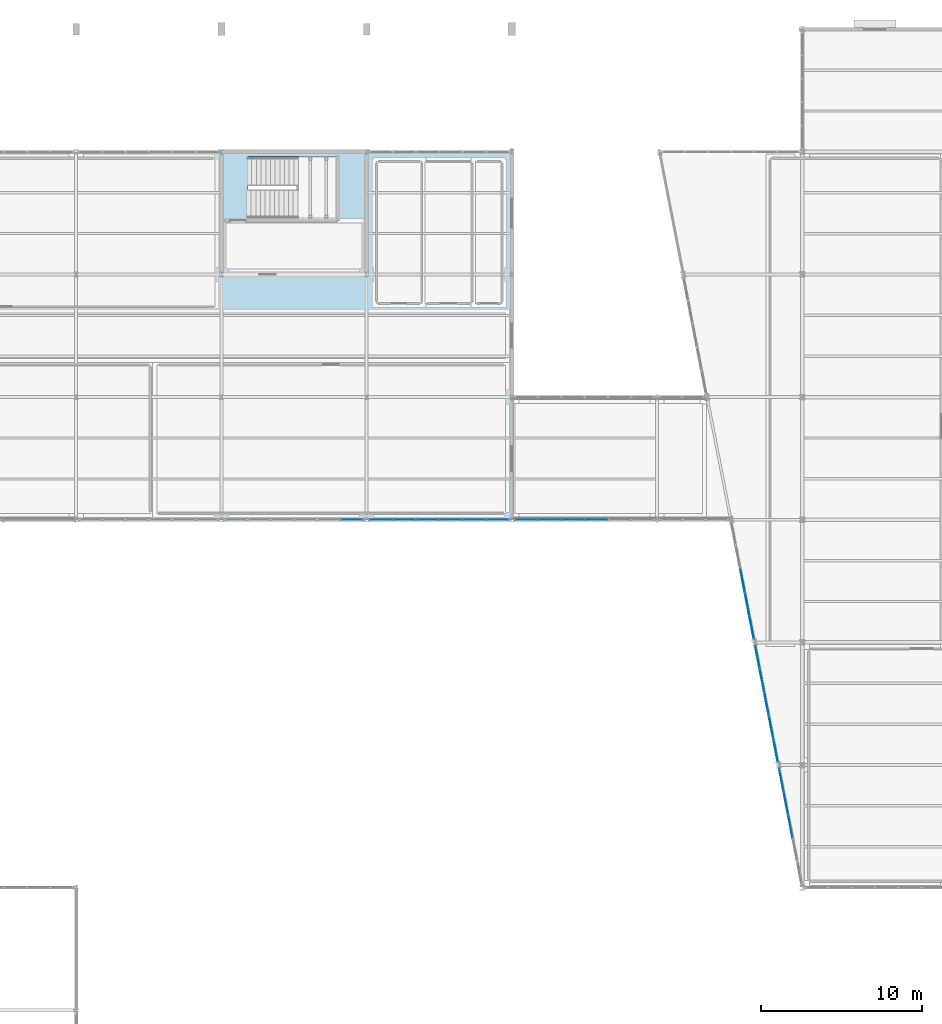
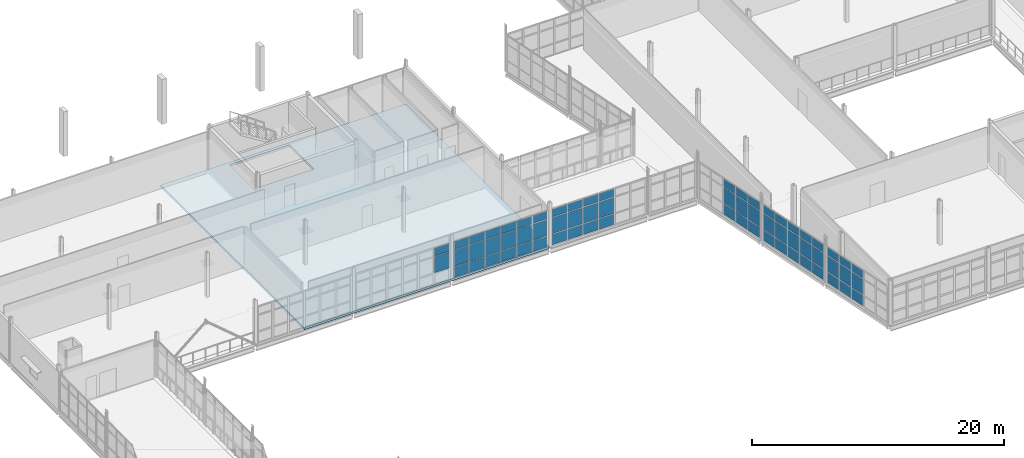
# One storey, part 132 of 166: 65 plates, 1 slab, 6 elements without a shape of their own.
"""IFC4 building model written with IfcOpenShell, lengths in metres."""

from ifc_helpers import new_model, si_unit, direction, frame, origin, origin_2d, place, context, subcontext, project, spatial, polyline, rectangle, outline, extrude, material, layer, layer_set, type_object, element, aggregate, save


model = new_model("IFC4")

# Units and contexts
model_context = context("Model", 3, precision=1e-05, world=origin(), true_north=direction((0.0, 1.0)))
body_context = subcontext(model_context, "Body", "Model", "MODEL_VIEW")
ifc_project = project(units=[si_unit("LENGTHUNIT", "METRE"), si_unit("AREAUNIT", "SQUARE_METRE"), si_unit("VOLUMEUNIT", "CUBIC_METRE"), si_unit("PLANEANGLEUNIT", "RADIAN"), si_unit("MASSUNIT", "GRAM", prefix="KILO")], contexts=[model_context])

# Site, building, storey
site_placement = place(None, origin())
site = spatial("IfcSite", under=ifc_project, at=site_placement, CompositionType="ELEMENT")
building_placement = place(site_placement, origin())
building = spatial("IfcBuilding", under=site, at=building_placement, Name="Caisbarro Railhouse Central Library", CompositionType="ELEMENT")
storey_placement = place(building_placement, frame((0.0, 0.0, 9.360107421875)))
storey = spatial("IfcBuildingStorey", under=building, at=storey_placement, Name="L02", CompositionType="ELEMENT", Elevation=9.360107421875)

# Curtain wall, plates
ifc_material_1 = material(Name="Anodised architectural aluminium", Category="aluminium")
curtain_wall_type_1 = type_object("IfcCurtainWallType", Name="CW-CW02", PredefinedType="NOTDEFINED", material=ifc_material_1)
curtain_wall_1_placement = place(storey_placement, origin())
curtain_wall_1 = element("IfcCurtainWall", 1, at=curtain_wall_1_placement, inside=storey, type_object=curtain_wall_type_1, Name="CW02 curtain wall L02 #126", PredefinedType="NOTDEFINED")
ifc_material_2 = material(Name="Double low-e laminated solar-control glass", Category="glass")
ifc_layer_1 = layer(ifc_material_2, 0.01806640625, Name="Double low-e laminated solar-control glass")
ifc_layer_set_1 = layer_set([ifc_layer_1], Name="Double low-e laminated solar-control glass")
plate_type_1 = type_object("IfcPlateType", Name="CWP-CP18", PredefinedType="CURTAIN_PANEL", material=ifc_layer_set_1)
plate_1_placement = place(storey_placement, frame((116.261474609375, 64.60009765625, 0.06494140625), z_axis=(0.0, 0.0, 1.0), x_axis=(-0.190780945369, 0.981632635401, 0.0)))
plate_1 = element("IfcPlate", 2, at=plate_1_placement, type_object=plate_type_1, Name="CW02 panel 3.1", PredefinedType="CURTAIN_PANEL", context=body_context, shape_type="SweptSolid", body=[
    extrude(rectangle(XDim=1.409423828125, YDim=0.01806640625, at=origin_2d()), origin(), (0.0, 0.0, 1.0), 1.0224609375),
])
plate_2_placement = place(storey_placement, frame((116.261474609375, 64.60009765625, 1.15234375), z_axis=(0.0, 0.0, 1.0), x_axis=(-0.190780945369, 0.981632635401, 0.0)))
plate_2 = element("IfcPlate", 3, at=plate_2_placement, type_object=plate_type_1, Name="CW02 panel 3.2", PredefinedType="CURTAIN_PANEL", context=body_context, shape_type="SweptSolid", body=[
    extrude(rectangle(XDim=1.409423828125, YDim=0.01806640625, at=origin_2d()), origin(), (0.0, 0.0, 1.0), 1.52490234375),
])
plate_3_placement = place(storey_placement, frame((116.261474609375, 64.60009765625, 2.742431640625), z_axis=(0.0, 0.0, 1.0), x_axis=(-0.190780945369, 0.981632635401, 0.0)))
plate_3 = element("IfcPlate", 4, at=plate_3_placement, type_object=plate_type_1, Name="CW02 panel 3.3", PredefinedType="CURTAIN_PANEL", context=body_context, shape_type="SweptSolid", body=[
    extrude(rectangle(XDim=1.409423828125, YDim=0.01806640625, at=origin_2d()), origin(), (0.0, 0.0, 1.0), 0.75244140625),
])
plate_4_placement = place(storey_placement, frame((115.978271484375, 66.05712890625, 0.06494140625), z_axis=(0.0, 0.0, 1.0), x_axis=(-0.190780945369, 0.981632635401, 0.0)))
plate_4 = element("IfcPlate", 5, at=plate_4_placement, type_object=plate_type_1, Name="CW02 panel 4.1", PredefinedType="CURTAIN_PANEL", context=body_context, shape_type="SweptSolid", body=[
    extrude(rectangle(XDim=1.409423828125, YDim=0.01806640625, at=origin_2d()), origin(), (0.0, 0.0, 1.0), 1.0224609375),
])
plate_5_placement = place(storey_placement, frame((115.978271484375, 66.05712890625, 1.15234375), z_axis=(0.0, 0.0, 1.0), x_axis=(-0.190780945369, 0.981632635401, 0.0)))
plate_5 = element("IfcPlate", 6, at=plate_5_placement, type_object=plate_type_1, Name="CW02 panel 4.2", PredefinedType="CURTAIN_PANEL", context=body_context, shape_type="SweptSolid", body=[
    extrude(rectangle(XDim=1.409423828125, YDim=0.01806640625, at=origin_2d()), origin(), (0.0, 0.0, 1.0), 1.52490234375),
])
plate_6_placement = place(storey_placement, frame((115.978271484375, 66.05712890625, 2.742431640625), z_axis=(0.0, 0.0, 1.0), x_axis=(-0.190780945369, 0.981632635401, 0.0)))
plate_6 = element("IfcPlate", 7, at=plate_6_placement, type_object=plate_type_1, Name="CW02 panel 4.3", PredefinedType="CURTAIN_PANEL", context=body_context, shape_type="SweptSolid", body=[
    extrude(rectangle(XDim=1.409423828125, YDim=0.01806640625, at=origin_2d()), origin(), (0.0, 0.0, 1.0), 0.75244140625),
])
plate_7_placement = place(storey_placement, frame((115.69873046875, 67.495849609375, 0.06494140625), z_axis=(0.0, 0.0, 1.0), x_axis=(-0.190780945369, 0.981632635401, 0.0)))
plate_7 = element("IfcPlate", 8, at=plate_7_placement, type_object=plate_type_1, Name="CW02 panel 5.1", PredefinedType="CURTAIN_PANEL", context=body_context, shape_type="SweptSolid", body=[
    extrude(rectangle(XDim=1.371826171875, YDim=0.01806640625, at=origin_2d()), origin(), (0.0, 0.0, 1.0), 1.0224609375),
])
plate_8_placement = place(storey_placement, frame((115.69873046875, 67.495849609375, 1.15234375), z_axis=(0.0, 0.0, 1.0), x_axis=(-0.190780945369, 0.981632635401, 0.0)))
plate_8 = element("IfcPlate", 9, at=plate_8_placement, type_object=plate_type_1, Name="CW02 panel 5.2", PredefinedType="CURTAIN_PANEL", context=body_context, shape_type="SweptSolid", body=[
    extrude(rectangle(XDim=1.371826171875, YDim=0.01806640625, at=origin_2d()), origin(), (0.0, 0.0, 1.0), 1.52490234375),
])
plate_9_placement = place(storey_placement, frame((115.69873046875, 67.495849609375, 2.742431640625), z_axis=(0.0, 0.0, 1.0), x_axis=(-0.190780945369, 0.981632635401, 0.0)))
plate_9 = element("IfcPlate", 10, at=plate_9_placement, type_object=plate_type_1, Name="CW02 panel 5.3", PredefinedType="CURTAIN_PANEL", context=body_context, shape_type="SweptSolid", body=[
    extrude(rectangle(XDim=1.371826171875, YDim=0.01806640625, at=origin_2d()), origin(), (0.0, 0.0, 1.0), 0.75244140625),
])
aggregate(curtain_wall_1, [plate_1, plate_2, plate_3, plate_4, plate_5, plate_6, plate_7, plate_8, plate_9])

curtain_wall_2_placement = place(storey_placement, origin())
curtain_wall_2 = element("IfcCurtainWall", 11, at=curtain_wall_2_placement, inside=storey, type_object=curtain_wall_type_1, Name="CW02 curtain wall L02 #184", PredefinedType="NOTDEFINED")
plate_10_placement = place(storey_placement, frame((89.097900390625, 83.60009765625, 1.15234375), z_axis=(0.0, 0.0, 1.0), x_axis=(1.0, 0.0, 0.0)))
plate_10 = element("IfcPlate", 12, at=plate_10_placement, type_object=plate_type_1, Name="CW02 panel 6.2", PredefinedType="CURTAIN_PANEL", context=body_context, shape_type="SweptSolid", body=[
    extrude(rectangle(XDim=1.334228515625, YDim=0.01806640625, at=origin_2d()), origin(), (0.0, 0.0, 1.0), 1.544921875),
])
plate_11_placement = place(storey_placement, frame((89.097900390625, 83.60009765625, 2.762451171875), z_axis=(0.0, 0.0, 1.0), x_axis=(1.0, 0.0, 0.0)))
plate_11 = element("IfcPlate", 13, at=plate_11_placement, type_object=plate_type_1, Name="CW02 panel 6.3", PredefinedType="CURTAIN_PANEL", context=body_context, shape_type="SweptSolid", body=[
    extrude(rectangle(XDim=1.334228515625, YDim=0.01806640625, at=origin_2d()), origin(), (0.0, 0.0, 1.0), 0.75244140625),
])
aggregate(curtain_wall_2, [plate_10, plate_11])

curtain_wall_3_placement = place(storey_placement, origin())
curtain_wall_3 = element("IfcCurtainWall", 14, at=curtain_wall_3_placement, inside=storey, type_object=curtain_wall_type_1, Name="CW02 curtain wall L02 #185", PredefinedType="NOTDEFINED")
plate_12_placement = place(storey_placement, frame((90.902099609375, 83.60009765625, 0.06494140625), z_axis=(0.0, 0.0, 1.0), x_axis=(1.0, 0.0, 0.0)))
plate_12 = element("IfcPlate", 15, at=plate_12_placement, type_object=plate_type_1, Name="CW02 panel 1.1", PredefinedType="CURTAIN_PANEL", context=body_context, shape_type="SweptSolid", body=[
    extrude(rectangle(XDim=1.334228515625, YDim=0.01806640625, at=origin_2d()), origin(), (0.0, 0.0, 1.0), 1.0224609375),
])
plate_13_placement = place(storey_placement, frame((90.902099609375, 83.60009765625, 1.15234375), z_axis=(0.0, 0.0, 1.0), x_axis=(1.0, 0.0, 0.0)))
plate_13 = element("IfcPlate", 16, at=plate_13_placement, type_object=plate_type_1, Name="CW02 panel 1.2", PredefinedType="CURTAIN_PANEL", context=body_context, shape_type="SweptSolid", body=[
    extrude(rectangle(XDim=1.334228515625, YDim=0.01806640625, at=origin_2d()), origin(), (0.0, 0.0, 1.0), 1.544921875),
])
plate_14_placement = place(storey_placement, frame((90.902099609375, 83.60009765625, 2.762451171875), z_axis=(0.0, 0.0, 1.0), x_axis=(1.0, 0.0, 0.0)))
plate_14 = element("IfcPlate", 17, at=plate_14_placement, type_object=plate_type_1, Name="CW02 panel 1.3", PredefinedType="CURTAIN_PANEL", context=body_context, shape_type="SweptSolid", body=[
    extrude(rectangle(XDim=1.334228515625, YDim=0.01806640625, at=origin_2d()), origin(), (0.0, 0.0, 1.0), 0.75244140625),
])
plate_15_placement = place(storey_placement, frame((92.330078125, 83.60009765625, 0.06494140625), z_axis=(0.0, 0.0, 1.0), x_axis=(1.0, 0.0, 0.0)))
plate_15 = element("IfcPlate", 18, at=plate_15_placement, type_object=plate_type_1, Name="CW02 panel 2.1", PredefinedType="CURTAIN_PANEL", context=body_context, shape_type="SweptSolid", body=[
    extrude(rectangle(XDim=1.37158203125, YDim=0.01806640625, at=origin_2d()), origin(), (0.0, 0.0, 1.0), 1.0224609375),
])
plate_16_placement = place(storey_placement, frame((92.330078125, 83.60009765625, 1.15234375), z_axis=(0.0, 0.0, 1.0), x_axis=(1.0, 0.0, 0.0)))
plate_16 = element("IfcPlate", 19, at=plate_16_placement, type_object=plate_type_1, Name="CW02 panel 2.2", PredefinedType="CURTAIN_PANEL", context=body_context, shape_type="SweptSolid", body=[
    extrude(rectangle(XDim=1.37158203125, YDim=0.01806640625, at=origin_2d()), origin(), (0.0, 0.0, 1.0), 1.544921875),
])
plate_17_placement = place(storey_placement, frame((92.330078125, 83.60009765625, 2.762451171875), z_axis=(0.0, 0.0, 1.0), x_axis=(1.0, 0.0, 0.0)))
plate_17 = element("IfcPlate", 20, at=plate_17_placement, type_object=plate_type_1, Name="CW02 panel 2.3", PredefinedType="CURTAIN_PANEL", context=body_context, shape_type="SweptSolid", body=[
    extrude(rectangle(XDim=1.37158203125, YDim=0.01806640625, at=origin_2d()), origin(), (0.0, 0.0, 1.0), 0.75244140625),
])
plate_18_placement = place(storey_placement, frame((93.776611328125, 83.60009765625, 0.06494140625), z_axis=(0.0, 0.0, 1.0), x_axis=(1.0, 0.0, 0.0)))
plate_18 = element("IfcPlate", 21, at=plate_18_placement, type_object=plate_type_1, Name="CW02 panel 3.1", PredefinedType="CURTAIN_PANEL", context=body_context, shape_type="SweptSolid", body=[
    extrude(rectangle(XDim=1.37158203125, YDim=0.01806640625, at=origin_2d()), origin(), (0.0, 0.0, 1.0), 1.0224609375),
])
plate_19_placement = place(storey_placement, frame((93.776611328125, 83.60009765625, 1.15234375), z_axis=(0.0, 0.0, 1.0), x_axis=(1.0, 0.0, 0.0)))
plate_19 = element("IfcPlate", 22, at=plate_19_placement, type_object=plate_type_1, Name="CW02 panel 3.2", PredefinedType="CURTAIN_PANEL", context=body_context, shape_type="SweptSolid", body=[
    extrude(rectangle(XDim=1.37158203125, YDim=0.01806640625, at=origin_2d()), origin(), (0.0, 0.0, 1.0), 1.544921875),
])
plate_20_placement = place(storey_placement, frame((93.776611328125, 83.60009765625, 2.762451171875), z_axis=(0.0, 0.0, 1.0), x_axis=(1.0, 0.0, 0.0)))
plate_20 = element("IfcPlate", 23, at=plate_20_placement, type_object=plate_type_1, Name="CW02 panel 3.3", PredefinedType="CURTAIN_PANEL", context=body_context, shape_type="SweptSolid", body=[
    extrude(rectangle(XDim=1.37158203125, YDim=0.01806640625, at=origin_2d()), origin(), (0.0, 0.0, 1.0), 0.75244140625),
])
plate_21_placement = place(storey_placement, frame((95.223388671875, 83.60009765625, 0.06494140625), z_axis=(0.0, 0.0, 1.0), x_axis=(1.0, 0.0, 0.0)))
plate_21 = element("IfcPlate", 24, at=plate_21_placement, type_object=plate_type_1, Name="CW02 panel 4.1", PredefinedType="CURTAIN_PANEL", context=body_context, shape_type="SweptSolid", body=[
    extrude(rectangle(XDim=1.37158203125, YDim=0.01806640625, at=origin_2d()), origin(), (0.0, 0.0, 1.0), 1.0224609375),
])
plate_22_placement = place(storey_placement, frame((95.223388671875, 83.60009765625, 1.15234375), z_axis=(0.0, 0.0, 1.0), x_axis=(1.0, 0.0, 0.0)))
plate_22 = element("IfcPlate", 25, at=plate_22_placement, type_object=plate_type_1, Name="CW02 panel 4.2", PredefinedType="CURTAIN_PANEL", context=body_context, shape_type="SweptSolid", body=[
    extrude(rectangle(XDim=1.37158203125, YDim=0.01806640625, at=origin_2d()), origin(), (0.0, 0.0, 1.0), 1.544921875),
])
plate_23_placement = place(storey_placement, frame((95.223388671875, 83.60009765625, 2.762451171875), z_axis=(0.0, 0.0, 1.0), x_axis=(1.0, 0.0, 0.0)))
plate_23 = element("IfcPlate", 26, at=plate_23_placement, type_object=plate_type_1, Name="CW02 panel 4.3", PredefinedType="CURTAIN_PANEL", context=body_context, shape_type="SweptSolid", body=[
    extrude(rectangle(XDim=1.37158203125, YDim=0.01806640625, at=origin_2d()), origin(), (0.0, 0.0, 1.0), 0.75244140625),
])
plate_24_placement = place(storey_placement, frame((96.669921875, 83.60009765625, 0.06494140625), z_axis=(0.0, 0.0, 1.0), x_axis=(1.0, 0.0, 0.0)))
plate_24 = element("IfcPlate", 27, at=plate_24_placement, type_object=plate_type_1, Name="CW02 panel 5.1", PredefinedType="CURTAIN_PANEL", context=body_context, shape_type="SweptSolid", body=[
    extrude(rectangle(XDim=1.37158203125, YDim=0.01806640625, at=origin_2d()), origin(), (0.0, 0.0, 1.0), 1.0224609375),
])
plate_25_placement = place(storey_placement, frame((96.669921875, 83.60009765625, 1.15234375), z_axis=(0.0, 0.0, 1.0), x_axis=(1.0, 0.0, 0.0)))
plate_25 = element("IfcPlate", 28, at=plate_25_placement, type_object=plate_type_1, Name="CW02 panel 5.2", PredefinedType="CURTAIN_PANEL", context=body_context, shape_type="SweptSolid", body=[
    extrude(rectangle(XDim=1.37158203125, YDim=0.01806640625, at=origin_2d()), origin(), (0.0, 0.0, 1.0), 1.544921875),
])
plate_26_placement = place(storey_placement, frame((96.669921875, 83.60009765625, 2.762451171875), z_axis=(0.0, 0.0, 1.0), x_axis=(1.0, 0.0, 0.0)))
plate_26 = element("IfcPlate", 29, at=plate_26_placement, type_object=plate_type_1, Name="CW02 panel 5.3", PredefinedType="CURTAIN_PANEL", context=body_context, shape_type="SweptSolid", body=[
    extrude(rectangle(XDim=1.37158203125, YDim=0.01806640625, at=origin_2d()), origin(), (0.0, 0.0, 1.0), 0.75244140625),
])
plate_27_placement = place(storey_placement, frame((98.097900390625, 83.60009765625, 0.06494140625), z_axis=(0.0, 0.0, 1.0), x_axis=(1.0, 0.0, 0.0)))
plate_27 = element("IfcPlate", 30, at=plate_27_placement, type_object=plate_type_1, Name="CW02 panel 6.1", PredefinedType="CURTAIN_PANEL", context=body_context, shape_type="SweptSolid", body=[
    extrude(rectangle(XDim=1.334228515625, YDim=0.01806640625, at=origin_2d()), origin(), (0.0, 0.0, 1.0), 1.0224609375),
])
plate_28_placement = place(storey_placement, frame((98.097900390625, 83.60009765625, 1.15234375), z_axis=(0.0, 0.0, 1.0), x_axis=(1.0, 0.0, 0.0)))
plate_28 = element("IfcPlate", 31, at=plate_28_placement, type_object=plate_type_1, Name="CW02 panel 6.2", PredefinedType="CURTAIN_PANEL", context=body_context, shape_type="SweptSolid", body=[
    extrude(rectangle(XDim=1.334228515625, YDim=0.01806640625, at=origin_2d()), origin(), (0.0, 0.0, 1.0), 1.544921875),
])
plate_29_placement = place(storey_placement, frame((98.097900390625, 83.60009765625, 2.762451171875), z_axis=(0.0, 0.0, 1.0), x_axis=(1.0, 0.0, 0.0)))
plate_29 = element("IfcPlate", 32, at=plate_29_placement, type_object=plate_type_1, Name="CW02 panel 6.3", PredefinedType="CURTAIN_PANEL", context=body_context, shape_type="SweptSolid", body=[
    extrude(rectangle(XDim=1.334228515625, YDim=0.01806640625, at=origin_2d()), origin(), (0.0, 0.0, 1.0), 0.75244140625),
])
aggregate(curtain_wall_3, [plate_12, plate_13, plate_14, plate_15, plate_16, plate_17, plate_18, plate_19, plate_20, plate_21, plate_22, plate_23, plate_24, plate_25, plate_26, plate_27, plate_28, plate_29])

curtain_wall_type_2 = type_object("IfcCurtainWallType", Name="CW-CW03", PredefinedType="NOTDEFINED", material=ifc_material_1)
curtain_wall_4_placement = place(storey_placement, origin())
curtain_wall_4 = element("IfcCurtainWall", 33, at=curtain_wall_4_placement, inside=storey, type_object=curtain_wall_type_2, Name="CW03 curtain wall L02 #208", PredefinedType="NOTDEFINED")
plate_30_placement = place(storey_placement, frame((99.899658203125, 83.60009765625, 0.06494140625), z_axis=(0.0, 0.0, 1.0), x_axis=(1.0, 0.0, 0.0)))
plate_30 = element("IfcPlate", 34, at=plate_30_placement, type_object=plate_type_1, Name="CW03 panel 1.1", PredefinedType="CURTAIN_PANEL", context=body_context, shape_type="SweptSolid", body=[
    extrude(rectangle(XDim=1.34912109375, YDim=0.01806640625, at=origin_2d()), origin(), (0.0, 0.0, 1.0), 1.0224609375),
])
plate_31_placement = place(storey_placement, frame((99.899658203125, 83.60009765625, 1.15234375), z_axis=(0.0, 0.0, 1.0), x_axis=(1.0, 0.0, 0.0)))
plate_31 = element("IfcPlate", 35, at=plate_31_placement, type_object=plate_type_1, Name="CW03 panel 1.2", PredefinedType="CURTAIN_PANEL", context=body_context, shape_type="SweptSolid", body=[
    extrude(rectangle(XDim=1.34912109375, YDim=0.01806640625, at=origin_2d()), origin(), (0.0, 0.0, 1.0), 1.554931640625),
])
plate_32_placement = place(storey_placement, frame((99.899658203125, 83.60009765625, 2.7724609375), z_axis=(0.0, 0.0, 1.0), x_axis=(1.0, 0.0, 0.0)))
plate_32 = element("IfcPlate", 36, at=plate_32_placement, type_object=plate_type_1, Name="CW03 panel 1.3", PredefinedType="CURTAIN_PANEL", context=body_context, shape_type="SweptSolid", body=[
    extrude(rectangle(XDim=1.34912109375, YDim=0.01806640625, at=origin_2d()), origin(), (0.0, 0.0, 1.0), 0.75244140625),
])
plate_33_placement = place(storey_placement, frame((101.330078125, 83.60009765625, 0.06494140625), z_axis=(0.0, 0.0, 1.0), x_axis=(1.0, 0.0, 0.0)))
plate_33 = element("IfcPlate", 37, at=plate_33_placement, type_object=plate_type_1, Name="CW03 panel 2.1", PredefinedType="CURTAIN_PANEL", context=body_context, shape_type="SweptSolid", body=[
    extrude(rectangle(XDim=1.381591796875, YDim=0.01806640625, at=origin_2d()), origin(), (0.0, 0.0, 1.0), 1.0224609375),
])
plate_34_placement = place(storey_placement, frame((101.330078125, 83.60009765625, 1.15234375), z_axis=(0.0, 0.0, 1.0), x_axis=(1.0, 0.0, 0.0)))
plate_34 = element("IfcPlate", 38, at=plate_34_placement, type_object=plate_type_1, Name="CW03 panel 2.2", PredefinedType="CURTAIN_PANEL", context=body_context, shape_type="SweptSolid", body=[
    extrude(rectangle(XDim=1.381591796875, YDim=0.01806640625, at=origin_2d()), origin(), (0.0, 0.0, 1.0), 1.554931640625),
])
plate_35_placement = place(storey_placement, frame((101.330078125, 83.60009765625, 2.7724609375), z_axis=(0.0, 0.0, 1.0), x_axis=(1.0, 0.0, 0.0)))
plate_35 = element("IfcPlate", 39, at=plate_35_placement, type_object=plate_type_1, Name="CW03 panel 2.3", PredefinedType="CURTAIN_PANEL", context=body_context, shape_type="SweptSolid", body=[
    extrude(rectangle(XDim=1.381591796875, YDim=0.01806640625, at=origin_2d()), origin(), (0.0, 0.0, 1.0), 0.75244140625),
])
plate_36_placement = place(storey_placement, frame((102.776611328125, 83.60009765625, 0.06494140625), z_axis=(0.0, 0.0, 1.0), x_axis=(1.0, 0.0, 0.0)))
plate_36 = element("IfcPlate", 40, at=plate_36_placement, type_object=plate_type_1, Name="CW03 panel 3.1", PredefinedType="CURTAIN_PANEL", context=body_context, shape_type="SweptSolid", body=[
    extrude(rectangle(XDim=1.381591796875, YDim=0.01806640625, at=origin_2d()), origin(), (0.0, 0.0, 1.0), 1.0224609375),
])
plate_37_placement = place(storey_placement, frame((102.776611328125, 83.60009765625, 1.15234375), z_axis=(0.0, 0.0, 1.0), x_axis=(1.0, 0.0, 0.0)))
plate_37 = element("IfcPlate", 41, at=plate_37_placement, type_object=plate_type_1, Name="CW03 panel 3.2", PredefinedType="CURTAIN_PANEL", context=body_context, shape_type="SweptSolid", body=[
    extrude(rectangle(XDim=1.381591796875, YDim=0.01806640625, at=origin_2d()), origin(), (0.0, 0.0, 1.0), 1.554931640625),
])
plate_38_placement = place(storey_placement, frame((102.776611328125, 83.60009765625, 2.7724609375), z_axis=(0.0, 0.0, 1.0), x_axis=(1.0, 0.0, 0.0)))
plate_38 = element("IfcPlate", 42, at=plate_38_placement, type_object=plate_type_1, Name="CW03 panel 3.3", PredefinedType="CURTAIN_PANEL", context=body_context, shape_type="SweptSolid", body=[
    extrude(rectangle(XDim=1.381591796875, YDim=0.01806640625, at=origin_2d()), origin(), (0.0, 0.0, 1.0), 0.75244140625),
])
plate_39_placement = place(storey_placement, frame((104.223388671875, 83.60009765625, 0.06494140625), z_axis=(0.0, 0.0, 1.0), x_axis=(1.0, 0.0, 0.0)))
plate_39 = element("IfcPlate", 43, at=plate_39_placement, type_object=plate_type_1, Name="CW03 panel 4.1", PredefinedType="CURTAIN_PANEL", context=body_context, shape_type="SweptSolid", body=[
    extrude(rectangle(XDim=1.381591796875, YDim=0.01806640625, at=origin_2d()), origin(), (0.0, 0.0, 1.0), 1.0224609375),
])
plate_40_placement = place(storey_placement, frame((104.223388671875, 83.60009765625, 1.15234375), z_axis=(0.0, 0.0, 1.0), x_axis=(1.0, 0.0, 0.0)))
plate_40 = element("IfcPlate", 44, at=plate_40_placement, type_object=plate_type_1, Name="CW03 panel 4.2", PredefinedType="CURTAIN_PANEL", context=body_context, shape_type="SweptSolid", body=[
    extrude(rectangle(XDim=1.381591796875, YDim=0.01806640625, at=origin_2d()), origin(), (0.0, 0.0, 1.0), 1.554931640625),
])
plate_41_placement = place(storey_placement, frame((104.223388671875, 83.60009765625, 2.7724609375), z_axis=(0.0, 0.0, 1.0), x_axis=(1.0, 0.0, 0.0)))
plate_41 = element("IfcPlate", 45, at=plate_41_placement, type_object=plate_type_1, Name="CW03 panel 4.3", PredefinedType="CURTAIN_PANEL", context=body_context, shape_type="SweptSolid", body=[
    extrude(rectangle(XDim=1.381591796875, YDim=0.01806640625, at=origin_2d()), origin(), (0.0, 0.0, 1.0), 0.75244140625),
])
aggregate(curtain_wall_4, [plate_30, plate_31, plate_32, plate_33, plate_34, plate_35, plate_36, plate_37, plate_38, plate_39, plate_40, plate_41])

curtain_wall_5_placement = place(storey_placement, origin())
curtain_wall_5 = element("IfcCurtainWall", 46, at=curtain_wall_5_placement, inside=storey, type_object=curtain_wall_type_1, Name="CW02 curtain wall L02 #127", PredefinedType="NOTDEFINED")
ifc_layer_2 = layer(ifc_material_2, 0.028076171875, Name="Double low-e laminated solar-control glass")
ifc_layer_set_2 = layer_set([ifc_layer_2], Name="Double low-e laminated solar-control glass")
plate_type_2 = type_object("IfcPlateType", Name="CWP-CP28", PredefinedType="CURTAIN_PANEL", material=ifc_layer_set_2)
plate_42_placement = place(storey_placement, frame((115.34716796875, 69.30419921875, 0.06494140625), z_axis=(0.0, 0.0, 1.0), x_axis=(-0.190910768765, 0.98160739523, 0.0)))
plate_42 = element("IfcPlate", 47, at=plate_42_placement, type_object=plate_type_2, Name="CW02 panel 1.1", PredefinedType="CURTAIN_PANEL", context=body_context, shape_type="SweptSolid", body=[
    extrude(rectangle(XDim=1.3720703125, YDim=0.028076171875, at=origin_2d()), origin(), (0.0, 0.0, 1.0), 1.0224609375),
])
plate_43_placement = place(storey_placement, frame((115.34716796875, 69.30419921875, 1.15234375), z_axis=(0.0, 0.0, 1.0), x_axis=(-0.190910768765, 0.98160739523, 0.0)))
plate_43 = element("IfcPlate", 48, at=plate_43_placement, type_object=plate_type_2, Name="CW02 panel 1.2", PredefinedType="CURTAIN_PANEL", context=body_context, shape_type="SweptSolid", body=[
    extrude(rectangle(XDim=1.3720703125, YDim=0.028076171875, at=origin_2d()), origin(), (0.0, 0.0, 1.0), 1.52490234375),
])
plate_44_placement = place(storey_placement, frame((115.34716796875, 69.30419921875, 2.742431640625), z_axis=(0.0, 0.0, 1.0), x_axis=(-0.190910768765, 0.98160739523, 0.0)))
plate_44 = element("IfcPlate", 49, at=plate_44_placement, type_object=plate_type_2, Name="CW02 panel 1.3", PredefinedType="CURTAIN_PANEL", context=body_context, shape_type="SweptSolid", body=[
    extrude(rectangle(XDim=1.3720703125, YDim=0.028076171875, at=origin_2d()), origin(), (0.0, 0.0, 1.0), 0.75244140625),
])
plate_45_placement = place(storey_placement, frame((115.0673828125, 70.742919921875, 0.06494140625), z_axis=(0.0, 0.0, 1.0), x_axis=(-0.190910768765, 0.98160739523, 0.0)))
plate_45 = element("IfcPlate", 50, at=plate_45_placement, type_object=plate_type_2, Name="CW02 panel 2.1", PredefinedType="CURTAIN_PANEL", context=body_context, shape_type="SweptSolid", body=[
    extrude(rectangle(XDim=1.409423828125, YDim=0.028076171875, at=origin_2d()), origin(), (0.0, 0.0, 1.0), 1.0224609375),
])
plate_46_placement = place(storey_placement, frame((115.0673828125, 70.742919921875, 1.15234375), z_axis=(0.0, 0.0, 1.0), x_axis=(-0.190910768765, 0.98160739523, 0.0)))
plate_46 = element("IfcPlate", 51, at=plate_46_placement, type_object=plate_type_2, Name="CW02 panel 2.2", PredefinedType="CURTAIN_PANEL", context=body_context, shape_type="SweptSolid", body=[
    extrude(rectangle(XDim=1.409423828125, YDim=0.028076171875, at=origin_2d()), origin(), (0.0, 0.0, 1.0), 1.52490234375),
])
plate_47_placement = place(storey_placement, frame((115.0673828125, 70.742919921875, 2.742431640625), z_axis=(0.0, 0.0, 1.0), x_axis=(-0.190910768765, 0.98160739523, 0.0)))
plate_47 = element("IfcPlate", 52, at=plate_47_placement, type_object=plate_type_2, Name="CW02 panel 2.3", PredefinedType="CURTAIN_PANEL", context=body_context, shape_type="SweptSolid", body=[
    extrude(rectangle(XDim=1.409423828125, YDim=0.028076171875, at=origin_2d()), origin(), (0.0, 0.0, 1.0), 0.75244140625),
])
plate_48_placement = place(storey_placement, frame((114.783935546875, 72.199951171875, 0.06494140625), z_axis=(0.0, 0.0, 1.0), x_axis=(-0.190910768765, 0.98160739523, 0.0)))
plate_48 = element("IfcPlate", 53, at=plate_48_placement, type_object=plate_type_2, Name="CW02 panel 3.1", PredefinedType="CURTAIN_PANEL", context=body_context, shape_type="SweptSolid", body=[
    extrude(rectangle(XDim=1.409423828125, YDim=0.028076171875, at=origin_2d()), origin(), (0.0, 0.0, 1.0), 1.0224609375),
])
plate_49_placement = place(storey_placement, frame((114.783935546875, 72.199951171875, 1.15234375), z_axis=(0.0, 0.0, 1.0), x_axis=(-0.190910768765, 0.98160739523, 0.0)))
plate_49 = element("IfcPlate", 54, at=plate_49_placement, type_object=plate_type_2, Name="CW02 panel 3.2", PredefinedType="CURTAIN_PANEL", context=body_context, shape_type="SweptSolid", body=[
    extrude(rectangle(XDim=1.409423828125, YDim=0.028076171875, at=origin_2d()), origin(), (0.0, 0.0, 1.0), 1.52490234375),
])
plate_50_placement = place(storey_placement, frame((114.783935546875, 72.199951171875, 2.742431640625), z_axis=(0.0, 0.0, 1.0), x_axis=(-0.190910768765, 0.98160739523, 0.0)))
plate_50 = element("IfcPlate", 55, at=plate_50_placement, type_object=plate_type_2, Name="CW02 panel 3.3", PredefinedType="CURTAIN_PANEL", context=body_context, shape_type="SweptSolid", body=[
    extrude(rectangle(XDim=1.409423828125, YDim=0.028076171875, at=origin_2d()), origin(), (0.0, 0.0, 1.0), 0.75244140625),
])
plate_51_placement = place(storey_placement, frame((114.50048828125, 73.6572265625, 0.06494140625), z_axis=(0.0, 0.0, 1.0), x_axis=(-0.190910768765, 0.98160739523, 0.0)))
plate_51 = element("IfcPlate", 56, at=plate_51_placement, type_object=plate_type_2, Name="CW02 panel 4.1", PredefinedType="CURTAIN_PANEL", context=body_context, shape_type="SweptSolid", body=[
    extrude(rectangle(XDim=1.409423828125, YDim=0.028076171875, at=origin_2d()), origin(), (0.0, 0.0, 1.0), 1.0224609375),
])
plate_52_placement = place(storey_placement, frame((114.50048828125, 73.6572265625, 1.15234375), z_axis=(0.0, 0.0, 1.0), x_axis=(-0.190910768765, 0.98160739523, 0.0)))
plate_52 = element("IfcPlate", 57, at=plate_52_placement, type_object=plate_type_2, Name="CW02 panel 4.2", PredefinedType="CURTAIN_PANEL", context=body_context, shape_type="SweptSolid", body=[
    extrude(rectangle(XDim=1.409423828125, YDim=0.028076171875, at=origin_2d()), origin(), (0.0, 0.0, 1.0), 1.52490234375),
])
plate_53_placement = place(storey_placement, frame((114.50048828125, 73.6572265625, 2.742431640625), z_axis=(0.0, 0.0, 1.0), x_axis=(-0.190910768765, 0.98160739523, 0.0)))
plate_53 = element("IfcPlate", 58, at=plate_53_placement, type_object=plate_type_2, Name="CW02 panel 4.3", PredefinedType="CURTAIN_PANEL", context=body_context, shape_type="SweptSolid", body=[
    extrude(rectangle(XDim=1.409423828125, YDim=0.028076171875, at=origin_2d()), origin(), (0.0, 0.0, 1.0), 0.75244140625),
])
plate_54_placement = place(storey_placement, frame((114.220703125, 75.095947265625, 0.06494140625), z_axis=(0.0, 0.0, 1.0), x_axis=(-0.190910768765, 0.98160739523, 0.0)))
plate_54 = element("IfcPlate", 59, at=plate_54_placement, type_object=plate_type_2, Name="CW02 panel 5.1", PredefinedType="CURTAIN_PANEL", context=body_context, shape_type="SweptSolid", body=[
    extrude(rectangle(XDim=1.3720703125, YDim=0.028076171875, at=origin_2d()), origin(), (0.0, 0.0, 1.0), 1.0224609375),
])
plate_55_placement = place(storey_placement, frame((114.220703125, 75.095947265625, 1.15234375), z_axis=(0.0, 0.0, 1.0), x_axis=(-0.190910768765, 0.98160739523, 0.0)))
plate_55 = element("IfcPlate", 60, at=plate_55_placement, type_object=plate_type_2, Name="CW02 panel 5.2", PredefinedType="CURTAIN_PANEL", context=body_context, shape_type="SweptSolid", body=[
    extrude(rectangle(XDim=1.3720703125, YDim=0.028076171875, at=origin_2d()), origin(), (0.0, 0.0, 1.0), 1.52490234375),
])
plate_56_placement = place(storey_placement, frame((114.220703125, 75.095947265625, 2.742431640625), z_axis=(0.0, 0.0, 1.0), x_axis=(-0.190910768765, 0.98160739523, 0.0)))
plate_56 = element("IfcPlate", 61, at=plate_56_placement, type_object=plate_type_2, Name="CW02 panel 5.3", PredefinedType="CURTAIN_PANEL", context=body_context, shape_type="SweptSolid", body=[
    extrude(rectangle(XDim=1.3720703125, YDim=0.028076171875, at=origin_2d()), origin(), (0.0, 0.0, 1.0), 0.75244140625),
])
aggregate(curtain_wall_5, [plate_42, plate_43, plate_44, plate_45, plate_46, plate_47, plate_48, plate_49, plate_50, plate_51, plate_52, plate_53, plate_54, plate_55, plate_56])

curtain_wall_6_placement = place(storey_placement, origin())
curtain_wall_6 = element("IfcCurtainWall", 62, at=curtain_wall_6_placement, inside=storey, type_object=curtain_wall_type_1, Name="CW02 curtain wall L02 #128", PredefinedType="NOTDEFINED")
ifc_layer_3 = layer(ifc_material_2, 0.0380859375, Name="Double low-e laminated solar-control glass")
ifc_layer_set_3 = layer_set([ifc_layer_3], Name="Double low-e laminated solar-control glass")
plate_type_3 = type_object("IfcPlateType", Name="CWP-CP38", PredefinedType="CURTAIN_PANEL", material=ifc_layer_set_3)
plate_57_placement = place(storey_placement, frame((113.869384765625, 76.904052734375, 0.06494140625), z_axis=(0.0, 0.0, 1.0), x_axis=(-0.190780945369, 0.981632635401, 0.0)))
plate_57 = element("IfcPlate", 63, at=plate_57_placement, type_object=plate_type_3, Name="CW02 panel 1.1", PredefinedType="CURTAIN_PANEL", context=body_context, shape_type="SweptSolid", body=[
    extrude(rectangle(XDim=1.371826171875, YDim=0.0380859375, at=origin_2d()), origin(), (0.0, 0.0, 1.0), 1.0224609375),
])
plate_58_placement = place(storey_placement, frame((113.869384765625, 76.904052734375, 1.15234375), z_axis=(0.0, 0.0, 1.0), x_axis=(-0.190780945369, 0.981632635401, 0.0)))
plate_58 = element("IfcPlate", 64, at=plate_58_placement, type_object=plate_type_3, Name="CW02 panel 1.2", PredefinedType="CURTAIN_PANEL", context=body_context, shape_type="SweptSolid", body=[
    extrude(rectangle(XDim=1.371826171875, YDim=0.0380859375, at=origin_2d()), origin(), (0.0, 0.0, 1.0), 1.52490234375),
])
plate_59_placement = place(storey_placement, frame((113.869384765625, 76.904052734375, 2.742431640625), z_axis=(0.0, 0.0, 1.0), x_axis=(-0.190780945369, 0.981632635401, 0.0)))
plate_59 = element("IfcPlate", 65, at=plate_59_placement, type_object=plate_type_3, Name="CW02 panel 1.3", PredefinedType="CURTAIN_PANEL", context=body_context, shape_type="SweptSolid", body=[
    extrude(rectangle(XDim=1.371826171875, YDim=0.0380859375, at=origin_2d()), origin(), (0.0, 0.0, 1.0), 0.75244140625),
])
plate_60_placement = place(storey_placement, frame((113.589599609375, 78.3427734375, 0.06494140625), z_axis=(0.0, 0.0, 1.0), x_axis=(-0.190780945369, 0.981632635401, 0.0)))
plate_60 = element("IfcPlate", 66, at=plate_60_placement, type_object=plate_type_3, Name="CW02 panel 2.1", PredefinedType="CURTAIN_PANEL", context=body_context, shape_type="SweptSolid", body=[
    extrude(rectangle(XDim=1.409423828125, YDim=0.0380859375, at=origin_2d()), origin(), (0.0, 0.0, 1.0), 1.0224609375),
])
plate_61_placement = place(storey_placement, frame((113.589599609375, 78.3427734375, 1.15234375), z_axis=(0.0, 0.0, 1.0), x_axis=(-0.190780945369, 0.981632635401, 0.0)))
plate_61 = element("IfcPlate", 67, at=plate_61_placement, type_object=plate_type_3, Name="CW02 panel 2.2", PredefinedType="CURTAIN_PANEL", context=body_context, shape_type="SweptSolid", body=[
    extrude(rectangle(XDim=1.409423828125, YDim=0.0380859375, at=origin_2d()), origin(), (0.0, 0.0, 1.0), 1.52490234375),
])
plate_62_placement = place(storey_placement, frame((113.589599609375, 78.3427734375, 2.742431640625), z_axis=(0.0, 0.0, 1.0), x_axis=(-0.190780945369, 0.981632635401, 0.0)))
plate_62 = element("IfcPlate", 68, at=plate_62_placement, type_object=plate_type_3, Name="CW02 panel 2.3", PredefinedType="CURTAIN_PANEL", context=body_context, shape_type="SweptSolid", body=[
    extrude(rectangle(XDim=1.409423828125, YDim=0.0380859375, at=origin_2d()), origin(), (0.0, 0.0, 1.0), 0.75244140625),
])
plate_63_placement = place(storey_placement, frame((113.306396484375, 79.800048828125, 0.06494140625), z_axis=(0.0, 0.0, 1.0), x_axis=(-0.190780945369, 0.981632635401, 0.0)))
plate_63 = element("IfcPlate", 69, at=plate_63_placement, type_object=plate_type_3, Name="CW02 panel 3.1", PredefinedType="CURTAIN_PANEL", context=body_context, shape_type="SweptSolid", body=[
    extrude(rectangle(XDim=1.409423828125, YDim=0.0380859375, at=origin_2d()), origin(), (0.0, 0.0, 1.0), 1.0224609375),
])
plate_64_placement = place(storey_placement, frame((113.306396484375, 79.800048828125, 1.15234375), z_axis=(0.0, 0.0, 1.0), x_axis=(-0.190780945369, 0.981632635401, 0.0)))
plate_64 = element("IfcPlate", 70, at=plate_64_placement, type_object=plate_type_3, Name="CW02 panel 3.2", PredefinedType="CURTAIN_PANEL", context=body_context, shape_type="SweptSolid", body=[
    extrude(rectangle(XDim=1.409423828125, YDim=0.0380859375, at=origin_2d()), origin(), (0.0, 0.0, 1.0), 1.52490234375),
])
plate_65_placement = place(storey_placement, frame((113.306396484375, 79.800048828125, 2.742431640625), z_axis=(0.0, 0.0, 1.0), x_axis=(-0.190780945369, 0.981632635401, 0.0)))
plate_65 = element("IfcPlate", 71, at=plate_65_placement, type_object=plate_type_3, Name="CW02 panel 3.3", PredefinedType="CURTAIN_PANEL", context=body_context, shape_type="SweptSolid", body=[
    extrude(rectangle(XDim=1.409423828125, YDim=0.0380859375, at=origin_2d()), origin(), (0.0, 0.0, 1.0), 0.75244140625),
])
aggregate(curtain_wall_6, [plate_57, plate_58, plate_59, plate_60, plate_61, plate_62, plate_63, plate_64, plate_65])

# Slab
ifc_material_3 = material(Name="Concrete C35", Category="concrete")
ifc_layer_4 = layer(ifc_material_3, 0.199951171875, Name="Concrete C35")
ifc_layer_set_4 = layer_set([ifc_layer_4], Name="Concrete C35")
slab_type = type_object("IfcSlabType", Name="SLB-FL20", PredefinedType="FLOOR", material=ifc_layer_set_4)
slab_placement = place(storey_placement, frame((0.0, 0.0, -0.2001953125)))
element("IfcSlab", 72, at=slab_placement, inside=storey, type_object=slab_type, Name="SF20 structural slab L02 V6.2", PredefinedType="FLOOR", context=body_context, shape_type="SweptSolid", body=[
    extrude(outline(polyline([(76.5, 83.60009765625), (99.0, 83.60009765625), (99.0, 106.39990234375), (76.5, 106.39990234375), (76.5, 83.60009765625)]), holes=[polyline([(82.64990234375, 102.25), (88.14990234375, 102.25), (88.14990234375, 106.10009765625), (82.64990234375, 106.10009765625), (82.64990234375, 102.25)])]), origin(), (0.0, 0.0, 1.0), 0.2001953125),
])

save(model, "model.ifc")
